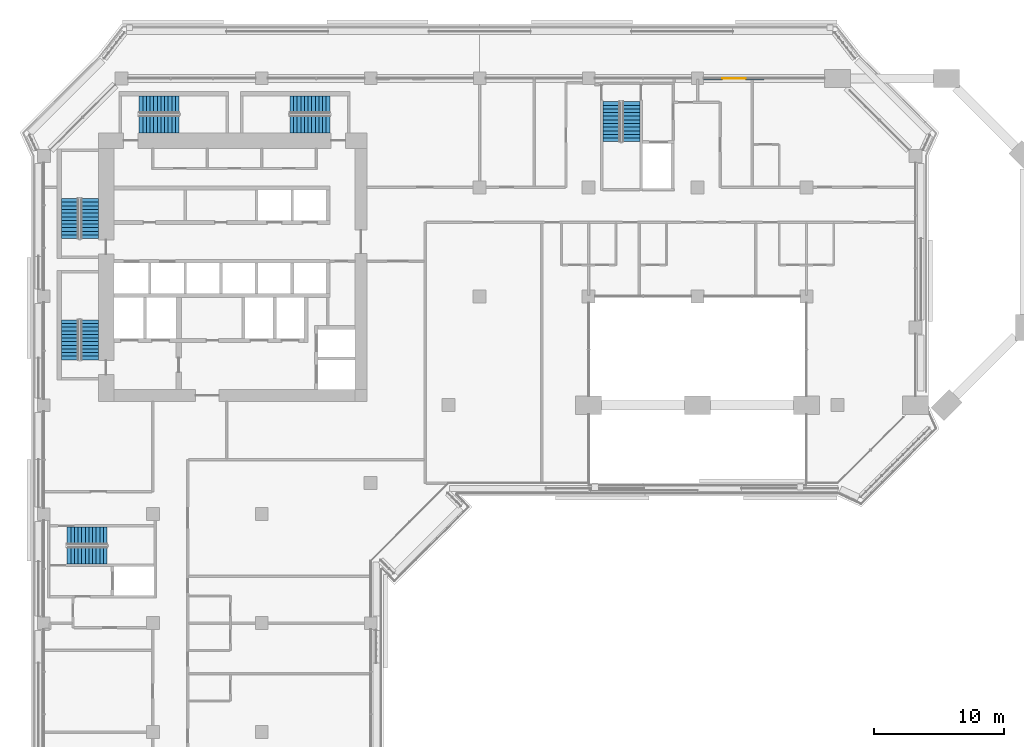
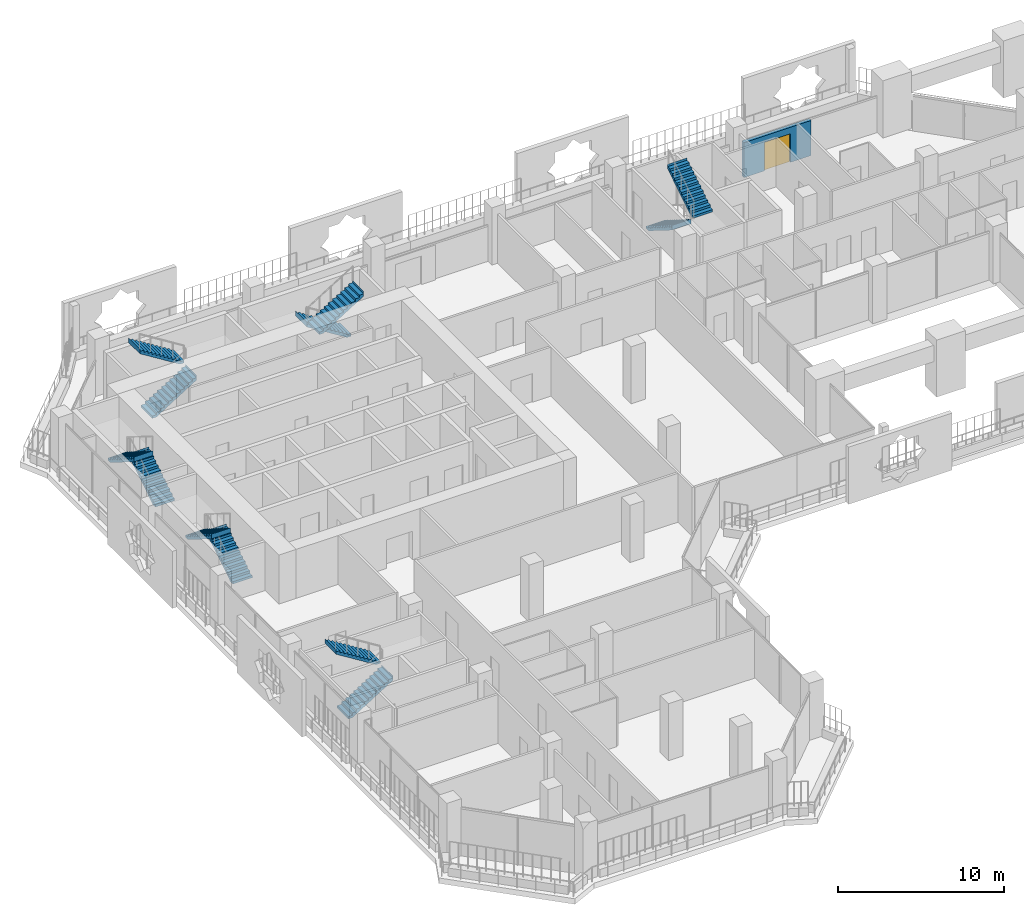
# One storey, part 15 of 23: 12 stair flights, 1 door, 1 wall, 1 opening, 6 elements without a shape of their own.
"""IFC4 building model written with IfcOpenShell, lengths in metres."""

import ifcopenshell
import ifcopenshell.guid

model = None  # the IFC model being written
_history = None  # IfcOwnerHistory: only IFC2X3 demands one
_inside = {}  # id of a spatial element -> (the spatial element, [elements in it])
_under = {}  # id of a project, library or spatial element -> (it, [spatial elements below it])
_declared = {}  # id of a project -> (the project, [libraries it declares])
_typed = {}  # id of a type object -> (the type object, [elements of that type])
_made_of = {}  # id of a material, layer set ... -> (it, [elements and type objects made of it])


def new_model(schema):
    """Start an empty IFC model of exactly this schema.

    Asked for "IFC4X3", IfcOpenShell would pick the latest addendum, in which some entities
    have other attributes; the version numbers below select the first issue.
    IFC2X3 requires an IfcOwnerHistory on every rooted entity: one is made here for all.
    """
    global model, _history
    if schema == "IFC4X3":
        model = ifcopenshell.file(schema_version=(4, 3, 0, 0))
    else:
        model = ifcopenshell.file(schema=schema)
    _inside.clear()
    _under.clear()
    _declared.clear()
    _typed.clear()
    _made_of.clear()
    _history = None
    if model.schema == "IFC2X3":
        org = make("IfcOrganization", Name="unknown")
        user = make(
            "IfcPersonAndOrganization",
            ThePerson=make("IfcPerson", FamilyName="unknown"),
            TheOrganization=org,
        )
        app = make(
            "IfcApplication",
            ApplicationDeveloper=org,
            Version="unknown",
            ApplicationFullName="unknown",
            ApplicationIdentifier="unknown",
        )
        _history = make(
            "IfcOwnerHistory",
            OwningUser=user,
            OwningApplication=app,
            ChangeAction="ADDED",
            CreationDate=0,
        )
    return model


def make(cls, **values):
    """One entity of the class cls with the attributes given. An attribute that is None is left unset."""
    return model.create_entity(
        cls, **{name: value for name, value in values.items() if value is not None}
    )


def rooted(cls, **values):
    """An entity with a GlobalId (a new one), such as an element, a storey or a relation."""
    return make(cls, GlobalId=ifcopenshell.guid.new(), OwnerHistory=_history, **values)


def si_unit(unit_type, name, prefix=None):
    """IfcSIUnit, for example si_unit("LENGTHUNIT", "METRE", prefix="MILLI")."""
    return make("IfcSIUnit", UnitType=unit_type, Prefix=prefix, Name=name)


def assignment(units):
    """IfcUnitAssignment: the units of a project."""
    return None if units is None else make("IfcUnitAssignment", Units=units)


def point(xyz):
    """IfcCartesianPoint."""
    return None if xyz is None else make("IfcCartesianPoint", Coordinates=xyz)


def direction(xyz):
    """IfcDirection."""
    return None if xyz is None else make("IfcDirection", DirectionRatios=xyz)


def frame(location, z_axis=None, x_axis=None):
    """IfcAxis2Placement3D, a coordinate frame: its origin and axes. An axis left out is left unset."""
    return make(
        "IfcAxis2Placement3D",
        Location=point(location),
        Axis=direction(z_axis),
        RefDirection=direction(x_axis),
    )


def frame_2d(location, x_axis=None):
    """IfcAxis2Placement2D, a coordinate frame in the plane: its origin and x axis."""
    return make(
        "IfcAxis2Placement2D", Location=point(location), RefDirection=direction(x_axis)
    )


def origin():
    """The frame at (0, 0, 0) with its axes left unset."""
    return frame((0.0, 0.0, 0.0))


def place(relative_to, where):
    """IfcLocalPlacement: puts the frame where relative to a parent placement (None: the world)."""
    return make(
        "IfcLocalPlacement", PlacementRelTo=relative_to, RelativePlacement=where
    )


def context(
    kind, dimensions, precision=None, world=None, true_north=None, identifier=None
):
    """IfcGeometricRepresentationContext, for example the 3D "Model" context."""
    return make(
        "IfcGeometricRepresentationContext",
        ContextIdentifier=identifier,
        ContextType=kind,
        CoordinateSpaceDimension=dimensions,
        Precision=precision,
        WorldCoordinateSystem=world,
        TrueNorth=true_north,
    )


def subcontext(parent, identifier, kind, view, scale=None):
    """IfcGeometricRepresentationSubContext, for example "Body" below "Model"."""
    return make(
        "IfcGeometricRepresentationSubContext",
        ContextIdentifier=identifier,
        ContextType=kind,
        ParentContext=parent,
        TargetScale=scale,
        TargetView=view,
    )


def project(units=None, contexts=None):
    """IfcProject with its units and contexts."""
    return rooted(
        "IfcProject",
        Name="project",
        RepresentationContexts=contexts,
        UnitsInContext=assignment(units),
    )


def spatial(cls, under=None, at=None, **own):
    """A site, building, storey or space (cls), placed at a placement, below another one or the project."""
    s = rooted(cls, ObjectPlacement=at, **own)
    if under is not None:
        _under.setdefault(under.id(), (under, []))[1].append(s)
    return s


def polyline(points):
    """IfcPolyline through the points."""
    return make("IfcPolyline", Points=[point(p) for p in points])


def profile(cls, at=None, kind="AREA", **sizes):
    """A parametric profile (cls). Its sizes go by their IFC names, for example OverallWidth=200.0."""
    return make(cls, ProfileType=kind, Position=at, **sizes)


def rectangle(**sizes):
    """IfcRectangleProfileDef."""
    return profile("IfcRectangleProfileDef", **sizes)


def outline(outer, holes=None, kind="AREA"):
    """IfcArbitraryClosedProfileDef: a profile drawn as a closed curve; with holes, ...WithVoids."""
    if holes is None:
        return make("IfcArbitraryClosedProfileDef", ProfileType=kind, OuterCurve=outer)
    return make(
        "IfcArbitraryProfileDefWithVoids",
        ProfileType=kind,
        OuterCurve=outer,
        InnerCurves=holes,
    )


def extrude(swept, where, along, depth):
    """IfcExtrudedAreaSolid: the profile swept, set in the frame where, extruded along a direction by depth."""
    return make(
        "IfcExtrudedAreaSolid",
        SweptArea=swept,
        Position=where,
        ExtrudedDirection=direction(along),
        Depth=depth,
    )


def shape(context_of_items, identifier, shape_type, items):
    """IfcShapeRepresentation: the items that make up one representation, for example the "Body"."""
    return make(
        "IfcShapeRepresentation",
        ContextOfItems=context_of_items,
        RepresentationIdentifier=identifier,
        RepresentationType=shape_type,
        Items=items,
    )


def material(Name=None, Category=None):
    """IfcMaterial."""
    return make("IfcMaterial", Name=Name, Category=Category)


def layer(
    of_material, thickness, ventilated=None, Name=None, Category=None, Priority=None
):
    """IfcMaterialLayer: one layer of a wall or slab, of a material (None: an air gap)."""
    return make(
        "IfcMaterialLayer",
        Material=of_material,
        LayerThickness=thickness,
        IsVentilated=ventilated,
        Name=Name,
        Category=Category,
        Priority=Priority,
    )


def layer_set(layers, Name=None):
    """IfcMaterialLayerSet."""
    return make("IfcMaterialLayerSet", MaterialLayers=layers, LayerSetName=Name)


def made_of(thing, what):
    """Note that an element or type object is made of a material, layer set ...; save() writes the relation."""
    if what is not None:
        _made_of.setdefault(what.id(), (what, []))[1].append(thing)
    return thing


def type_object(cls, material=None, **own):
    """A type object (cls), such as IfcWallType, which elements share."""
    return made_of(rooted(cls, **own), material)


def element(
    cls,
    number,
    at=None,
    inside=None,
    cuts=None,
    type_object=None,
    material=None,
    context=None,
    identifier="Body",
    shape_type=None,
    held_by="IfcProductDefinitionShape",
    body=None,
    shapes=None,
    **own,
):
    """One element of the class cls, such as IfcWall. Its Tag is "e" and its number.

    at: its placement. inside: the storey or other place that contains it. cuts: it is an
    opening in that element (IfcRelVoidsElement). A single representation is given by context,
    identifier, shape_type and body (its items); several are given by shapes. held_by: the class
    of the entity that holds the representations. save() writes the other relations.
    """
    e = rooted(cls, Tag="e%d" % number, ObjectPlacement=at, **own)
    if body is not None:
        shapes = [shape(context, identifier, shape_type, body)]
    if shapes is not None:
        e.Representation = make(held_by, Representations=shapes)
    if inside is not None:
        _inside.setdefault(inside.id(), (inside, []))[1].append(e)
    if cuts is not None:
        rooted(
            "IfcRelVoidsElement", RelatingBuildingElement=cuts, RelatedOpeningElement=e
        )
    if type_object is not None:
        _typed.setdefault(type_object.id(), (type_object, []))[1].append(e)
    return made_of(e, material)


def fill(opening, filler):
    """IfcRelFillsElement: the door or window that sits in an opening."""
    return rooted(
        "IfcRelFillsElement",
        RelatingOpeningElement=opening,
        RelatedBuildingElement=filler,
    )


def aggregate(whole, parts):
    """IfcRelAggregates: a whole, such as a stair, and the parts it consists of."""
    return rooted("IfcRelAggregates", RelatingObject=whole, RelatedObjects=parts)


def save(model, path):
    """Write the relations noted so far, then the file.

    IfcRelAggregates (storeys below a building ...), IfcRelContainedInSpatialStructure (elements
    in a storey), IfcRelDefinesByType, IfcRelAssociatesMaterial and IfcRelDeclares: one each for
    every whole, place, type object, material and project.
    """
    for whole, parts in _under.values():
        aggregate(whole, parts)
    for where, things in _inside.values():
        rooted(
            "IfcRelContainedInSpatialStructure",
            RelatedElements=things,
            RelatingStructure=where,
        )
    for kind, things in _typed.values():
        rooted("IfcRelDefinesByType", RelatedObjects=things, RelatingType=kind)
    for what, things in _made_of.values():
        rooted("IfcRelAssociatesMaterial", RelatedObjects=things, RelatingMaterial=what)
    for by, libraries in _declared.values():
        rooted("IfcRelDeclares", RelatingContext=by, RelatedDefinitions=libraries)
    model.write(path)


model = new_model("IFC4")

# Units and contexts
model_context = context("Model", 3, precision=1e-05, world=origin(), true_north=direction((0.0, 1.0)))
body_context = subcontext(model_context, "Body", "Model", "MODEL_VIEW")
ifc_project = project(units=[si_unit("LENGTHUNIT", "METRE"), si_unit("AREAUNIT", "SQUARE_METRE"), si_unit("VOLUMEUNIT", "CUBIC_METRE"), si_unit("PLANEANGLEUNIT", "RADIAN"), si_unit("MASSUNIT", "GRAM", prefix="KILO")], contexts=[model_context])

# Site, building, storey
site_placement = place(None, origin())
site = spatial("IfcSite", under=ifc_project, at=site_placement, CompositionType="ELEMENT")
building_placement = place(site_placement, origin())
building = spatial("IfcBuilding", under=site, at=building_placement, Name="Kawkab Arch Medical Tower", CompositionType="ELEMENT")
storey_placement = place(building_placement, frame((0.0, 0.0, 166.800048828125)))
storey = spatial("IfcBuildingStorey", under=building, at=storey_placement, Name="L38", CompositionType="ELEMENT", Elevation=166.800048828125)

# Wall, opening, door
ifc_material_1 = material(Name="Bronze clad insulated wall panel")
ifc_layer = layer(ifc_material_1, 0.25)
ifc_layer_set = layer_set([ifc_layer], Name="Bronze clad insulated wall panel")
wall_type = type_object("IfcWallType", Name="External wall bay 250", PredefinedType="SOLIDWALL", material=ifc_layer_set)
wall_placement = place(storey_placement, frame((55.53759765625, 0.0, 0.0), z_axis=(0.0, 0.0, 1.0), x_axis=(-1.0, 0.0, 0.0)))
wall = element("IfcWall", 1, at=wall_placement, inside=storey, type_object=wall_type, Name="External wall bay L38.R09.1.2", PredefinedType="SOLIDWALL", context=body_context, shape_type="SweptSolid", body=[
    extrude(rectangle(XDim=4.66259765625, YDim=0.25, at=frame_2d((2.331298828125, 0.0))), origin(), (0.0, 0.0, 1.0), 2.579833984375),
])
opening_placement = place(wall_placement, frame((1.431396484375, 0.0, 0.0)))
opening = element("IfcOpeningElement", 2, at=opening_placement, cuts=wall, Name="Opening B38-701", PredefinedType="OPENING", context=body_context, shape_type="SweptSolid", body=[
    extrude(rectangle(XDim=1.800048828125, YDim=2.10009765625, at=frame_2d((0.89990234375, 1.050048828125))), frame((0.0, 0.135009765625, 0.0), z_axis=(0.0, -1.0, 0.0), x_axis=(1.0, 0.0, 0.0)), (0.0, 0.0, 1.0), 0.27001953125),
])
ifc_material_2 = material(Name="Bronze anodised aluminium door with tinted glass", Category="aluminium")
door_type = type_object("IfcDoorType", Name="Double external door 1800 x 2100", OperationType="DOUBLE_DOOR_SINGLE_SWING", PredefinedType="DOOR", material=ifc_material_2)
door_placement = place(opening_placement, origin())
door = element("IfcDoor", 3, at=door_placement, inside=storey, type_object=door_type, Name="External door L38.R09.1.2", OperationType="DOUBLE_DOOR_SINGLE_SWING", OverallHeight=2.10009765625, OverallWidth=1.800048828125, PredefinedType="DOOR", context=body_context, shape_type="SweptSolid", body=[
    extrude(rectangle(XDim=1.800048828125, YDim=2.10009765625, at=frame_2d((0.89990234375, 1.050048828125))), frame((0.0, 0.02490234375, 0.0), z_axis=(0.0, -1.0, 0.0), x_axis=(1.0, 0.0, 0.0)), (0.0, 0.0, 1.0), 0.050048828125),
])
fill(opening, door)

# Stair, stair flights
ifc_material_3 = material(Name="Concrete C40/50", Category="concrete")
stair_type = type_object("IfcStairType", Name="Exit stair 1350", PredefinedType="HALF_TURN_STAIR", material=ifc_material_3)
placement = place(storey_placement, origin())
stair_1 = element("IfcStair", 4, at=placement, inside=storey, type_object=stair_type, Name="L38 Exit stair ST1", PredefinedType="HALF_TURN_STAIR")
ifc_material_4 = material(Name="Concrete C40/50", Category="concrete")
stair_flight_type = type_object("IfcStairFlightType", Name="Exit stair flight 1350", PredefinedType="STRAIGHT", material=ifc_material_4)
stair_flight_1_placement = place(storey_placement, frame((3.52490234375, -12.35009765625, 0.0), z_axis=(0.0, 0.0, 1.0), x_axis=(0.0, 1.0, 0.0)))
stair_flight_1 = element("IfcStairFlight", 5, at=stair_flight_1_placement, type_object=stair_flight_type, Name="ST1 flight 1", NumberOfRisers=12, NumberOfTreads=11, PredefinedType="STRAIGHT", RiserHeight=0.175, TreadLength=0.28, context=body_context, shape_type="SweptSolid", body=[
    extrude(outline(polyline([(-0.0029296875, 0.0), (-0.0029296875, 0.175048828125), (0.0, 0.175048828125), (0.280029296875, 0.175048828125), (0.280029296875, 0.35009765625), (0.56005859375, 0.35009765625), (0.56005859375, 0.52490234375), (0.840087890625, 0.52490234375), (0.840087890625, 0.699951171875), (1.1201171875, 0.699951171875), (1.1201171875, 0.875), (1.39990234375, 0.875), (1.39990234375, 1.050048828125), (1.679931640625, 1.050048828125), (1.679931640625, 1.22509765625), (1.9599609375, 1.22509765625), (1.9599609375, 1.39990234375), (2.239990234375, 1.39990234375), (2.239990234375, 1.574951171875), (2.52001953125, 1.574951171875), (2.52001953125, 1.75), (2.800048828125, 1.75), (2.800048828125, 1.925048828125), (3.080078125, 1.925048828125), (3.080078125, 2.10009765625), (3.0830078125, 2.10009765625), (3.0830078125, 1.748291015625), (3.080078125, 1.748291015625), (0.28271484375, 0.0), (-0.0029296875, 0.0)])), frame((0.0, 0.675048828125, 0.0), z_axis=(0.0, -1.0, 0.0), x_axis=(1.0, 0.0, 0.0)), (0.0, 0.0, 1.0), 1.35009765625),
])
stair_flight_2_placement = place(storey_placement, frame((2.02490234375, -9.27001953125, 2.099853515625), z_axis=(0.0, 0.0, 1.0), x_axis=(0.0, -1.0, 0.0)))
stair_flight_2 = element("IfcStairFlight", 6, at=stair_flight_2_placement, type_object=stair_flight_type, Name="ST1 flight 2", NumberOfRisers=12, NumberOfTreads=11, PredefinedType="STRAIGHT", RiserHeight=0.175, TreadLength=0.28, context=body_context, shape_type="SweptSolid", body=[
    extrude(outline(polyline([(-0.0029296875, 0.0), (-0.0029296875, 0.175048828125), (0.0, 0.175048828125), (0.280029296875, 0.175048828125), (0.280029296875, 0.35009765625), (0.56005859375, 0.35009765625), (0.56005859375, 0.52490234375), (0.840087890625, 0.52490234375), (0.840087890625, 0.699951171875), (1.1201171875, 0.699951171875), (1.1201171875, 0.875), (1.39990234375, 0.875), (1.39990234375, 1.050048828125), (1.679931640625, 1.050048828125), (1.679931640625, 1.22509765625), (1.9599609375, 1.22509765625), (1.9599609375, 1.39990234375), (2.239990234375, 1.39990234375), (2.239990234375, 1.574951171875), (2.52001953125, 1.574951171875), (2.52001953125, 1.75), (2.800048828125, 1.75), (2.800048828125, 1.925048828125), (3.080078125, 1.925048828125), (3.080078125, 2.10009765625), (3.0830078125, 2.10009765625), (3.0830078125, 1.748291015625), (3.080078125, 1.748291015625), (0.28271484375, 0.0), (-0.0029296875, 0.0)])), frame((0.0, 0.675048828125, 0.0), z_axis=(0.0, -1.0, 0.0), x_axis=(1.0, 0.0, 0.0)), (0.0, 0.0, 1.0), 1.35009765625),
])
aggregate(stair_1, [stair_flight_1, stair_flight_2])

stair_2 = element("IfcStair", 7, at=placement, inside=storey, type_object=stair_type, Name="L38 Exit stair ST2", PredefinedType="HALF_TURN_STAIR")
stair_flight_3_placement = place(storey_placement, frame((3.52490234375, -21.699951171875, 0.0), z_axis=(0.0, 0.0, 1.0), x_axis=(0.0, 1.0, 0.0)))
stair_flight_3 = element("IfcStairFlight", 8, at=stair_flight_3_placement, type_object=stair_flight_type, Name="ST2 flight 1", NumberOfRisers=12, NumberOfTreads=11, PredefinedType="STRAIGHT", RiserHeight=0.175, TreadLength=0.28, context=body_context, shape_type="SweptSolid", body=[
    extrude(outline(polyline([(-0.0029296875, 0.0), (-0.0029296875, 0.175048828125), (0.0, 0.175048828125), (0.280029296875, 0.175048828125), (0.280029296875, 0.35009765625), (0.56005859375, 0.35009765625), (0.56005859375, 0.52490234375), (0.840087890625, 0.52490234375), (0.840087890625, 0.699951171875), (1.1201171875, 0.699951171875), (1.1201171875, 0.875), (1.39990234375, 0.875), (1.39990234375, 1.050048828125), (1.679931640625, 1.050048828125), (1.679931640625, 1.22509765625), (1.9599609375, 1.22509765625), (1.9599609375, 1.39990234375), (2.239990234375, 1.39990234375), (2.239990234375, 1.574951171875), (2.52001953125, 1.574951171875), (2.52001953125, 1.75), (2.800048828125, 1.75), (2.800048828125, 1.925048828125), (3.080078125, 1.925048828125), (3.080078125, 2.10009765625), (3.0830078125, 2.10009765625), (3.0830078125, 1.748291015625), (3.080078125, 1.748291015625), (0.28271484375, 0.0), (-0.0029296875, 0.0)])), frame((0.0, 0.675048828125, 0.0), z_axis=(0.0, -1.0, 0.0), x_axis=(1.0, 0.0, 0.0)), (0.0, 0.0, 1.0), 1.35009765625),
])
stair_flight_4_placement = place(storey_placement, frame((2.02490234375, -18.6201171875, 2.099853515625), z_axis=(0.0, 0.0, 1.0), x_axis=(0.0, -1.0, 0.0)))
stair_flight_4 = element("IfcStairFlight", 9, at=stair_flight_4_placement, type_object=stair_flight_type, Name="ST2 flight 2", NumberOfRisers=12, NumberOfTreads=11, PredefinedType="STRAIGHT", RiserHeight=0.175, TreadLength=0.28, context=body_context, shape_type="SweptSolid", body=[
    extrude(outline(polyline([(-0.0029296875, 0.0), (-0.0029296875, 0.175048828125), (0.0, 0.175048828125), (0.280029296875, 0.175048828125), (0.280029296875, 0.35009765625), (0.56005859375, 0.35009765625), (0.56005859375, 0.52490234375), (0.840087890625, 0.52490234375), (0.840087890625, 0.699951171875), (1.1201171875, 0.699951171875), (1.1201171875, 0.875), (1.39990234375, 0.875), (1.39990234375, 1.050048828125), (1.679931640625, 1.050048828125), (1.679931640625, 1.22509765625), (1.9599609375, 1.22509765625), (1.9599609375, 1.39990234375), (2.239990234375, 1.39990234375), (2.239990234375, 1.574951171875), (2.52001953125, 1.574951171875), (2.52001953125, 1.75), (2.800048828125, 1.75), (2.800048828125, 1.925048828125), (3.080078125, 1.925048828125), (3.080078125, 2.10009765625), (3.0830078125, 2.10009765625), (3.0830078125, 1.748291015625), (3.080078125, 1.748291015625), (0.28271484375, 0.0), (-0.0029296875, 0.0)])), frame((0.0, 0.675048828125, 0.0), z_axis=(0.0, -1.0, 0.0), x_axis=(1.0, 0.0, 0.0)), (0.0, 0.0, 1.0), 1.35009765625),
])
aggregate(stair_2, [stair_flight_3, stair_flight_4])

stair_3 = element("IfcStair", 10, at=placement, inside=storey, type_object=stair_type, Name="L38 Exit stair ST3", PredefinedType="HALF_TURN_STAIR")
stair_flight_5_placement = place(storey_placement, frame((7.35009765625, -3.52490234375, 0.0), z_axis=(0.0, 0.0, 1.0), x_axis=(1.0, 0.0, 0.0)))
stair_flight_5 = element("IfcStairFlight", 11, at=stair_flight_5_placement, type_object=stair_flight_type, Name="ST3 flight 1", NumberOfRisers=12, NumberOfTreads=11, PredefinedType="STRAIGHT", RiserHeight=0.175, TreadLength=0.28, context=body_context, shape_type="SweptSolid", body=[
    extrude(outline(polyline([(-0.0029296875, 0.0), (-0.0029296875, 0.175048828125), (0.0, 0.175048828125), (0.280029296875, 0.175048828125), (0.280029296875, 0.35009765625), (0.56005859375, 0.35009765625), (0.56005859375, 0.52490234375), (0.840087890625, 0.52490234375), (0.840087890625, 0.699951171875), (1.1201171875, 0.699951171875), (1.1201171875, 0.875), (1.39990234375, 0.875), (1.39990234375, 1.050048828125), (1.679931640625, 1.050048828125), (1.679931640625, 1.22509765625), (1.9599609375, 1.22509765625), (1.9599609375, 1.39990234375), (2.239990234375, 1.39990234375), (2.239990234375, 1.574951171875), (2.52001953125, 1.574951171875), (2.52001953125, 1.75), (2.800048828125, 1.75), (2.800048828125, 1.925048828125), (3.080078125, 1.925048828125), (3.080078125, 2.10009765625), (3.0830078125, 2.10009765625), (3.0830078125, 1.748291015625), (3.080078125, 1.748291015625), (0.28271484375, 0.0), (-0.0029296875, 0.0)])), frame((0.0, 0.675048828125, 0.0), z_axis=(0.0, -1.0, 0.0), x_axis=(1.0, 0.0, 0.0)), (0.0, 0.0, 1.0), 1.35009765625),
])
stair_flight_6_placement = place(storey_placement, frame((10.429931640625, -2.02490234375, 2.099853515625), z_axis=(0.0, 0.0, 1.0), x_axis=(-1.0, 0.0, 0.0)))
stair_flight_6 = element("IfcStairFlight", 12, at=stair_flight_6_placement, type_object=stair_flight_type, Name="ST3 flight 2", NumberOfRisers=12, NumberOfTreads=11, PredefinedType="STRAIGHT", RiserHeight=0.175, TreadLength=0.28, context=body_context, shape_type="SweptSolid", body=[
    extrude(outline(polyline([(-0.0029296875, 0.0), (-0.0029296875, 0.175048828125), (0.0, 0.175048828125), (0.280029296875, 0.175048828125), (0.280029296875, 0.35009765625), (0.56005859375, 0.35009765625), (0.56005859375, 0.52490234375), (0.840087890625, 0.52490234375), (0.840087890625, 0.699951171875), (1.1201171875, 0.699951171875), (1.1201171875, 0.875), (1.39990234375, 0.875), (1.39990234375, 1.050048828125), (1.679931640625, 1.050048828125), (1.679931640625, 1.22509765625), (1.9599609375, 1.22509765625), (1.9599609375, 1.39990234375), (2.239990234375, 1.39990234375), (2.239990234375, 1.574951171875), (2.52001953125, 1.574951171875), (2.52001953125, 1.75), (2.800048828125, 1.75), (2.800048828125, 1.925048828125), (3.080078125, 1.925048828125), (3.080078125, 2.10009765625), (3.0830078125, 2.10009765625), (3.0830078125, 1.748291015625), (3.080078125, 1.748291015625), (0.28271484375, 0.0), (-0.0029296875, 0.0)])), frame((0.0, 0.675048828125, 0.0), z_axis=(0.0, -1.0, 0.0), x_axis=(1.0, 0.0, 0.0)), (0.0, 0.0, 1.0), 1.35009765625),
])
aggregate(stair_3, [stair_flight_5, stair_flight_6])

stair_4 = element("IfcStair", 13, at=placement, inside=storey, type_object=stair_type, Name="L38 Exit stair ST4", PredefinedType="HALF_TURN_STAIR")
stair_flight_7_placement = place(storey_placement, frame((22.050048828125, -2.02490234375, 0.0), z_axis=(0.0, 0.0, 1.0), x_axis=(-1.0, 0.0, 0.0)))
stair_flight_7 = element("IfcStairFlight", 14, at=stair_flight_7_placement, type_object=stair_flight_type, Name="ST4 flight 1", NumberOfRisers=12, NumberOfTreads=11, PredefinedType="STRAIGHT", RiserHeight=0.175, TreadLength=0.28, context=body_context, shape_type="SweptSolid", body=[
    extrude(outline(polyline([(-0.0029296875, 0.0), (-0.0029296875, 0.175048828125), (0.0, 0.175048828125), (0.280029296875, 0.175048828125), (0.280029296875, 0.35009765625), (0.56005859375, 0.35009765625), (0.56005859375, 0.52490234375), (0.840087890625, 0.52490234375), (0.840087890625, 0.699951171875), (1.1201171875, 0.699951171875), (1.1201171875, 0.875), (1.39990234375, 0.875), (1.39990234375, 1.050048828125), (1.679931640625, 1.050048828125), (1.679931640625, 1.22509765625), (1.9599609375, 1.22509765625), (1.9599609375, 1.39990234375), (2.239990234375, 1.39990234375), (2.239990234375, 1.574951171875), (2.52001953125, 1.574951171875), (2.52001953125, 1.75), (2.800048828125, 1.75), (2.800048828125, 1.925048828125), (3.080078125, 1.925048828125), (3.080078125, 2.10009765625), (3.0830078125, 2.10009765625), (3.0830078125, 1.748291015625), (3.080078125, 1.748291015625), (0.28271484375, 0.0), (-0.0029296875, 0.0)])), frame((0.0, 0.675048828125, 0.0), z_axis=(0.0, -1.0, 0.0), x_axis=(1.0, 0.0, 0.0)), (0.0, 0.0, 1.0), 1.35009765625),
])
stair_flight_8_placement = place(storey_placement, frame((18.969970703125, -3.52490234375, 2.099853515625), z_axis=(0.0, 0.0, 1.0), x_axis=(1.0, 0.0, 0.0)))
stair_flight_8 = element("IfcStairFlight", 15, at=stair_flight_8_placement, type_object=stair_flight_type, Name="ST4 flight 2", NumberOfRisers=12, NumberOfTreads=11, PredefinedType="STRAIGHT", RiserHeight=0.175, TreadLength=0.28, context=body_context, shape_type="SweptSolid", body=[
    extrude(outline(polyline([(-0.0029296875, 0.0), (-0.0029296875, 0.175048828125), (0.0, 0.175048828125), (0.280029296875, 0.175048828125), (0.280029296875, 0.35009765625), (0.56005859375, 0.35009765625), (0.56005859375, 0.52490234375), (0.840087890625, 0.52490234375), (0.840087890625, 0.699951171875), (1.1201171875, 0.699951171875), (1.1201171875, 0.875), (1.39990234375, 0.875), (1.39990234375, 1.050048828125), (1.679931640625, 1.050048828125), (1.679931640625, 1.22509765625), (1.9599609375, 1.22509765625), (1.9599609375, 1.39990234375), (2.239990234375, 1.39990234375), (2.239990234375, 1.574951171875), (2.52001953125, 1.574951171875), (2.52001953125, 1.75), (2.800048828125, 1.75), (2.800048828125, 1.925048828125), (3.080078125, 1.925048828125), (3.080078125, 2.10009765625), (3.0830078125, 2.10009765625), (3.0830078125, 1.748291015625), (3.080078125, 1.748291015625), (0.28271484375, 0.0), (-0.0029296875, 0.0)])), frame((0.0, 0.675048828125, 0.0), z_axis=(0.0, -1.0, 0.0), x_axis=(1.0, 0.0, 0.0)), (0.0, 0.0, 1.0), 1.35009765625),
])
aggregate(stair_4, [stair_flight_7, stair_flight_8])

stair_5 = element("IfcStair", 16, at=placement, inside=storey, type_object=stair_type, Name="L38 Exit stair ST5", PredefinedType="HALF_TURN_STAIR")
stair_flight_9_placement = place(storey_placement, frame((43.77490234375, -1.800048828125, 0.0), z_axis=(0.0, 0.0, 1.0), x_axis=(0.0, -1.0, 0.0)))
stair_flight_9 = element("IfcStairFlight", 17, at=stair_flight_9_placement, type_object=stair_flight_type, Name="ST5 flight 1", NumberOfRisers=12, NumberOfTreads=11, PredefinedType="STRAIGHT", RiserHeight=0.175, TreadLength=0.28, context=body_context, shape_type="SweptSolid", body=[
    extrude(outline(polyline([(-0.0029296875, 0.0), (-0.0029296875, 0.175048828125), (0.0, 0.175048828125), (0.280029296875, 0.175048828125), (0.280029296875, 0.35009765625), (0.56005859375, 0.35009765625), (0.56005859375, 0.52490234375), (0.840087890625, 0.52490234375), (0.840087890625, 0.699951171875), (1.1201171875, 0.699951171875), (1.1201171875, 0.875), (1.39990234375, 0.875), (1.39990234375, 1.050048828125), (1.679931640625, 1.050048828125), (1.679931640625, 1.22509765625), (1.9599609375, 1.22509765625), (1.9599609375, 1.39990234375), (2.239990234375, 1.39990234375), (2.239990234375, 1.574951171875), (2.52001953125, 1.574951171875), (2.52001953125, 1.75), (2.800048828125, 1.75), (2.800048828125, 1.925048828125), (3.080078125, 1.925048828125), (3.080078125, 2.10009765625), (3.0830078125, 2.10009765625), (3.0830078125, 1.748291015625), (3.080078125, 1.748291015625), (0.28271484375, 0.0), (-0.0029296875, 0.0)])), frame((0.0, 0.675048828125, 0.0), z_axis=(0.0, -1.0, 0.0), x_axis=(1.0, 0.0, 0.0)), (0.0, 0.0, 1.0), 1.35009765625),
])
stair_flight_10_placement = place(storey_placement, frame((45.27490234375, -4.8798828125, 2.099853515625), z_axis=(0.0, 0.0, 1.0), x_axis=(0.0, 1.0, 0.0)))
stair_flight_10 = element("IfcStairFlight", 18, at=stair_flight_10_placement, type_object=stair_flight_type, Name="ST5 flight 2", NumberOfRisers=12, NumberOfTreads=11, PredefinedType="STRAIGHT", RiserHeight=0.175, TreadLength=0.28, context=body_context, shape_type="SweptSolid", body=[
    extrude(outline(polyline([(-0.0029296875, 0.0), (-0.0029296875, 0.175048828125), (0.0, 0.175048828125), (0.280029296875, 0.175048828125), (0.280029296875, 0.35009765625), (0.56005859375, 0.35009765625), (0.56005859375, 0.52490234375), (0.840087890625, 0.52490234375), (0.840087890625, 0.699951171875), (1.1201171875, 0.699951171875), (1.1201171875, 0.875), (1.39990234375, 0.875), (1.39990234375, 1.050048828125), (1.679931640625, 1.050048828125), (1.679931640625, 1.22509765625), (1.9599609375, 1.22509765625), (1.9599609375, 1.39990234375), (2.239990234375, 1.39990234375), (2.239990234375, 1.574951171875), (2.52001953125, 1.574951171875), (2.52001953125, 1.75), (2.800048828125, 1.75), (2.800048828125, 1.925048828125), (3.080078125, 1.925048828125), (3.080078125, 2.10009765625), (3.0830078125, 2.10009765625), (3.0830078125, 1.748291015625), (3.080078125, 1.748291015625), (0.28271484375, 0.0), (-0.0029296875, 0.0)])), frame((0.0, 0.675048828125, 0.0), z_axis=(0.0, -1.0, 0.0), x_axis=(1.0, 0.0, 0.0)), (0.0, 0.0, 1.0), 1.35009765625),
])
aggregate(stair_5, [stair_flight_9, stair_flight_10])

stair_6 = element("IfcStair", 19, at=placement, inside=storey, type_object=stair_type, Name="L38 Exit stair ST6", PredefinedType="HALF_TURN_STAIR")
stair_flight_11_placement = place(storey_placement, frame((1.800048828125, -36.77490234375, 0.0), z_axis=(0.0, 0.0, 1.0), x_axis=(1.0, 0.0, 0.0)))
stair_flight_11 = element("IfcStairFlight", 20, at=stair_flight_11_placement, type_object=stair_flight_type, Name="ST6 flight 1", NumberOfRisers=12, NumberOfTreads=11, PredefinedType="STRAIGHT", RiserHeight=0.175, TreadLength=0.28, context=body_context, shape_type="SweptSolid", body=[
    extrude(outline(polyline([(-0.0029296875, 0.0), (-0.0029296875, 0.175048828125), (0.0, 0.175048828125), (0.280029296875, 0.175048828125), (0.280029296875, 0.35009765625), (0.56005859375, 0.35009765625), (0.56005859375, 0.52490234375), (0.840087890625, 0.52490234375), (0.840087890625, 0.699951171875), (1.1201171875, 0.699951171875), (1.1201171875, 0.875), (1.39990234375, 0.875), (1.39990234375, 1.050048828125), (1.679931640625, 1.050048828125), (1.679931640625, 1.22509765625), (1.9599609375, 1.22509765625), (1.9599609375, 1.39990234375), (2.239990234375, 1.39990234375), (2.239990234375, 1.574951171875), (2.52001953125, 1.574951171875), (2.52001953125, 1.75), (2.800048828125, 1.75), (2.800048828125, 1.925048828125), (3.080078125, 1.925048828125), (3.080078125, 2.10009765625), (3.0830078125, 2.10009765625), (3.0830078125, 1.748291015625), (3.080078125, 1.748291015625), (0.28271484375, 0.0), (-0.0029296875, 0.0)])), frame((0.0, 0.675048828125, 0.0), z_axis=(0.0, -1.0, 0.0), x_axis=(1.0, 0.0, 0.0)), (0.0, 0.0, 1.0), 1.35009765625),
])
stair_flight_12_placement = place(storey_placement, frame((4.8798828125, -35.27490234375, 2.099853515625), z_axis=(0.0, 0.0, 1.0), x_axis=(-1.0, 0.0, 0.0)))
stair_flight_12 = element("IfcStairFlight", 21, at=stair_flight_12_placement, type_object=stair_flight_type, Name="ST6 flight 2", NumberOfRisers=12, NumberOfTreads=11, PredefinedType="STRAIGHT", RiserHeight=0.175, TreadLength=0.28, context=body_context, shape_type="SweptSolid", body=[
    extrude(outline(polyline([(-0.0029296875, 0.0), (-0.0029296875, 0.175048828125), (0.0, 0.175048828125), (0.280029296875, 0.175048828125), (0.280029296875, 0.35009765625), (0.56005859375, 0.35009765625), (0.56005859375, 0.52490234375), (0.840087890625, 0.52490234375), (0.840087890625, 0.699951171875), (1.1201171875, 0.699951171875), (1.1201171875, 0.875), (1.39990234375, 0.875), (1.39990234375, 1.050048828125), (1.679931640625, 1.050048828125), (1.679931640625, 1.22509765625), (1.9599609375, 1.22509765625), (1.9599609375, 1.39990234375), (2.239990234375, 1.39990234375), (2.239990234375, 1.574951171875), (2.52001953125, 1.574951171875), (2.52001953125, 1.75), (2.800048828125, 1.75), (2.800048828125, 1.925048828125), (3.080078125, 1.925048828125), (3.080078125, 2.10009765625), (3.0830078125, 2.10009765625), (3.0830078125, 1.748291015625), (3.080078125, 1.748291015625), (0.28271484375, 0.0), (-0.0029296875, 0.0)])), frame((0.0, 0.675048828125, 0.0), z_axis=(0.0, -1.0, 0.0), x_axis=(1.0, 0.0, 0.0)), (0.0, 0.0, 1.0), 1.35009765625),
])
aggregate(stair_6, [stair_flight_11, stair_flight_12])

save(model, "model.ifc")
